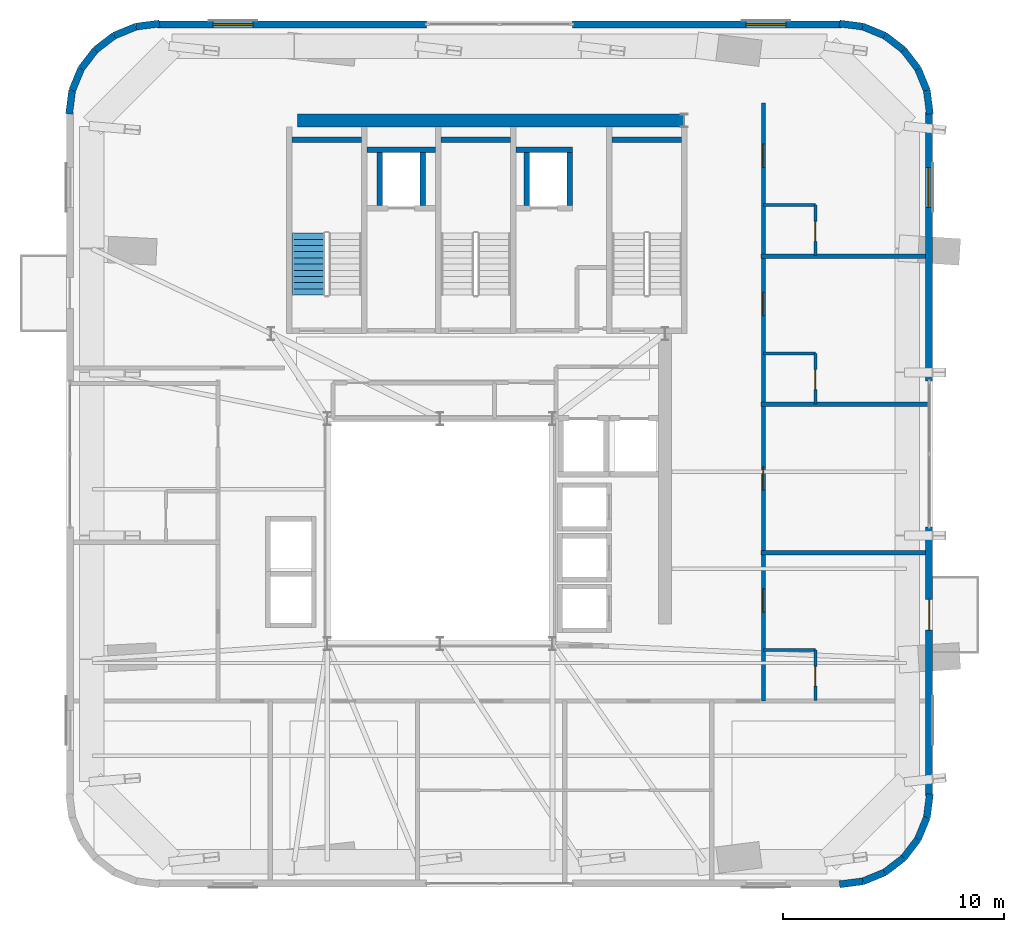
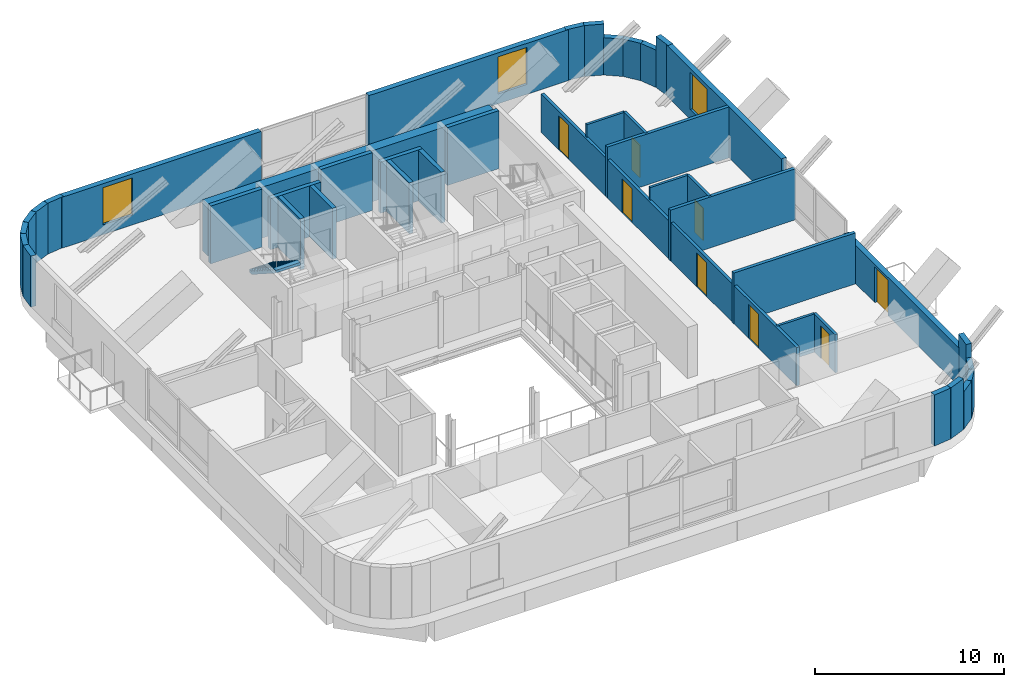
# One storey, part 8 of 12: 42 walls, 8 doors, 3 windows, 1 stair flight, 11 openings, 1 element without a shape of its own.
"""IFC4 building model written with IfcOpenShell, lengths in metres."""

from ifc_helpers import new_model, si_unit, direction, frame, frame_2d, origin, place, context, subcontext, project, spatial, polyline, rectangle, outline, extrude, source, transform, mapped, material, layer, layer_set, type_object, element, fill, aggregate, save


model = new_model("IFC4")

# Units and contexts
model_context = context("Model", 3, precision=1e-05, world=origin(), true_north=direction((0.0, 1.0)))
body_context = subcontext(model_context, "Body", "Model", "MODEL_VIEW")
ifc_project = project(units=[si_unit("LENGTHUNIT", "METRE"), si_unit("AREAUNIT", "SQUARE_METRE"), si_unit("VOLUMEUNIT", "CUBIC_METRE"), si_unit("PLANEANGLEUNIT", "RADIAN"), si_unit("MASSUNIT", "GRAM", prefix="KILO")], contexts=[model_context])

# Site, building, storey
site_placement = place(None, origin())
site = spatial("IfcSite", under=ifc_project, at=site_placement, CompositionType="ELEMENT")
building_placement = place(site_placement, origin())
building = spatial("IfcBuilding", under=site, at=building_placement, Name="Vardaveli Station Tower", CompositionType="ELEMENT")
storey_placement = place(building_placement, frame((0.0, 0.0, 282.199951171875)))
storey = spatial("IfcBuildingStorey", under=building, at=storey_placement, Name="L72", CompositionType="ELEMENT", Elevation=282.199951171875)

# Wall
ifc_material_1 = material(Name="Concrete C50/60", Category="concrete")
ifc_layer_1 = layer(ifc_material_1, 0.60009765625, Name="Concrete C50/60")
ifc_layer_set_1 = layer_set([ifc_layer_1], Name="Concrete C50/60")
wall_type_1 = type_object("IfcWallType", Name="WAL-CORE-600", PredefinedType="SHEAR", material=ifc_layer_set_1)
shared_shape_1 = source(origin(), body_context, "Body", "SweptSolid", [
    extrude(rectangle(XDim=17.52001953125, YDim=0.60009765625, at=frame_2d((8.760009765625, 0.0))), origin(), (0.0, 0.0, 1.0), 3.300048828125),
])
wall_1_placement = place(storey_placement, frame((29.85009765625, 40.300048828125, 0.0), z_axis=(0.0, 0.0, 1.0), x_axis=(1.0, 0.0, 0.0)))
element("IfcWall", 1, at=wall_1_placement, inside=storey, type_object=wall_type_1, Name="SW-L72-NORTH", PredefinedType="SHEAR", context=body_context, shape_type="MappedRepresentation", body=[
    mapped(shared_shape_1, transform((0.0, 0.0, 0.0), scale=1.0)),
])

# Wall, opening, window
ifc_material_2 = material(Name="Precast concrete C45/55", Category="concrete")
ifc_layer_2 = layer(ifc_material_2, 0.320068359375, Name="Precast concrete C45/55")
ifc_layer_set_2 = layer_set([ifc_layer_2], Name="Precast concrete C45/55")
wall_type_2 = type_object("IfcWallType", Name="WAL-EXT-STONE-320", PredefinedType="SOLIDWALL", material=ifc_layer_set_2)
shared_shape_2 = source(origin(), body_context, "Body", "SweptSolid", [
    extrude(rectangle(XDim=12.199951171875, YDim=0.320068359375, at=frame_2d((6.10009765625, 0.0))), origin(), (0.0, 0.0, 1.0), 3.300048828125),
])
wall_2_placement = place(storey_placement, frame((54.5, 44.659912109375, 0.0), z_axis=(0.0, 0.0, 1.0), x_axis=(-1.0, 0.0, 0.0)))
wall_2 = element("IfcWall", 2, at=wall_2_placement, inside=storey, type_object=wall_type_2, Name="EW-L72-N1", PredefinedType="SOLIDWALL", context=body_context, shape_type="MappedRepresentation", body=[
    mapped(shared_shape_2, transform((0.0, 0.0, 0.0), scale=1.0)),
])
shared_shape_3 = source(origin(), body_context, "Body", "SweptSolid", [
    extrude(rectangle(XDim=1.800048828125, YDim=2.39990234375, at=frame_2d((0.89990234375, 1.199951171875))), frame((0.0, 0.169921875, 0.0), z_axis=(0.0, -1.0, 0.0), x_axis=(1.0, 0.0, 0.0)), (0.0, 0.0, 1.0), 0.340087890625),
])
opening_1_placement = place(wall_2_placement, frame((2.52490234375, 0.0, 0.639892578125)))
opening_1 = element("IfcOpeningElement", 3, at=opening_1_placement, cuts=wall_2, Name="Opening W-05", PredefinedType="OPENING", context=body_context, shape_type="MappedRepresentation", body=[
    mapped(shared_shape_3, transform((0.0, 0.0, 0.0), scale=1.0)),
])
ifc_material_3 = material(Name="Low-E solar-control glass", Category="glass")
window_type = type_object("IfcWindowType", Name="WIN-HIGH-1800x2400", PartitioningType="SINGLE_PANEL", PredefinedType="WINDOW", material=ifc_material_3)
shared_shape_4 = source(origin(), body_context, "Body", "SweptSolid", [
    extrude(rectangle(XDim=1.800048828125, YDim=2.39990234375, at=frame_2d((0.89990234375, 1.199951171875))), frame((0.0, 0.030029296875, 0.0), z_axis=(0.0, -1.0, 0.0), x_axis=(1.0, 0.0, 0.0)), (0.0, 0.0, 1.0), 0.06005859375),
])
window_1_placement = place(opening_1_placement, origin())
window_1 = element("IfcWindow", 4, at=window_1_placement, inside=storey, type_object=window_type, Name="WN-L72-N1", OverallHeight=2.39990234375, OverallWidth=1.800048828125, PartitioningType="SINGLE_PANEL", PredefinedType="WINDOW", context=body_context, shape_type="MappedRepresentation", body=[
    mapped(shared_shape_4, transform((0.0, 0.0, 0.0), scale=1.0)),
])
fill(opening_1, window_1)

wall_3_placement = place(storey_placement, frame((35.699951171875, 44.659912109375, 0.0), z_axis=(0.0, 0.0, 1.0), x_axis=(-1.0, 0.0, 0.0)))
wall_3 = element("IfcWall", 5, at=wall_3_placement, inside=storey, type_object=wall_type_2, Name="EW-L72-N2", PredefinedType="SOLIDWALL", context=body_context, shape_type="MappedRepresentation", body=[
    mapped(shared_shape_2, transform((0.0, 0.0, 0.0), scale=1.0)),
])
opening_2_placement = place(wall_3_placement, frame((7.875, 0.0, 0.639892578125)))
opening_2 = element("IfcOpeningElement", 6, at=opening_2_placement, cuts=wall_3, Name="Opening W-05", PredefinedType="OPENING", context=body_context, shape_type="MappedRepresentation", body=[
    mapped(shared_shape_3, transform((0.0, 0.0, 0.0), scale=1.0)),
])
window_2_placement = place(opening_2_placement, origin())
window_2 = element("IfcWindow", 7, at=window_2_placement, inside=storey, type_object=window_type, Name="WN-L72-N2", OverallHeight=2.39990234375, OverallWidth=1.800048828125, PartitioningType="SINGLE_PANEL", PredefinedType="WINDOW", context=body_context, shape_type="MappedRepresentation", body=[
    mapped(shared_shape_4, transform((0.0, 0.0, 0.0), scale=1.0)),
])
fill(opening_2, window_2)

wall_4_placement = place(storey_placement, frame((58.4599609375, 28.5, 0.0), z_axis=(0.0, 0.0, 1.0), x_axis=(0.0, 1.0, 0.0)))
wall_4 = element("IfcWall", 8, at=wall_4_placement, inside=storey, type_object=wall_type_2, Name="EW-L72-E2", PredefinedType="SOLIDWALL", context=body_context, shape_type="MappedRepresentation", body=[
    mapped(shared_shape_2, transform((0.0, 0.0, 0.0), scale=1.0)),
])
opening_3_placement = place(wall_4_placement, frame((7.875, 0.0, 0.639892578125)))
opening_3 = element("IfcOpeningElement", 9, at=opening_3_placement, cuts=wall_4, Name="Opening W-05", PredefinedType="OPENING", context=body_context, shape_type="MappedRepresentation", body=[
    mapped(shared_shape_3, transform((0.0, 0.0, 0.0), scale=1.0)),
])
window_3_placement = place(opening_3_placement, origin())
window_3 = element("IfcWindow", 10, at=window_3_placement, inside=storey, type_object=window_type, Name="WN-L72-E2", OverallHeight=2.39990234375, OverallWidth=1.800048828125, PartitioningType="SINGLE_PANEL", PredefinedType="WINDOW", context=body_context, shape_type="MappedRepresentation", body=[
    mapped(shared_shape_4, transform((0.0, 0.0, 0.0), scale=1.0)),
])
fill(opening_3, window_3)

# Wall, opening, door
shared_shape_5 = source(origin(), body_context, "Body", "SweptSolid", [
    extrude(rectangle(XDim=12.199951171875, YDim=0.320068359375, at=frame_2d((6.10009765625, 0.0))), origin(), (0.0, 0.0, 1.0), 2.48095703125),
])
wall_5_placement = place(storey_placement, frame((58.4599609375, 9.699951171875, 0.0), z_axis=(0.0, 0.0, 1.0), x_axis=(0.0, 1.0, 0.0)))
wall_5 = element("IfcWall", 11, at=wall_5_placement, inside=storey, type_object=wall_type_2, Name="EW-L72-E1", PredefinedType="SOLIDWALL", context=body_context, shape_type="MappedRepresentation", body=[
    mapped(shared_shape_5, transform((0.0, 0.0, 0.0), scale=1.0)),
])
shared_shape_6 = source(origin(), body_context, "Body", "SweptSolid", [
    extrude(rectangle(XDim=1.39990234375, YDim=2.300048828125, at=frame_2d((0.699951171875, 1.14990234375))), frame((0.0, 0.169921875, 0.0), z_axis=(0.0, -1.0, 0.0), x_axis=(1.0, 0.0, 0.0)), (0.0, 0.0, 1.0), 0.340087890625),
])
opening_4_placement = place(wall_5_placement, frame((7.51611328125, 0.0, 0.0)))
opening_4 = element("IfcOpeningElement", 12, at=opening_4_placement, cuts=wall_5, Name="Opening D-09", PredefinedType="OPENING", context=body_context, shape_type="MappedRepresentation", body=[
    mapped(shared_shape_6, transform((0.0, 0.0, 0.0), scale=1.0)),
])
ifc_material_4 = material(Name="Thermally broken aluminium glass", Category="aluminium")
door_type_1 = type_object("IfcDoorType", Name="DR-LOG-1400x2300", OperationType="DOUBLE_DOOR_SLIDING", PredefinedType="DOOR", material=ifc_material_4)
shared_shape_7 = source(origin(), body_context, "Body", "SweptSolid", [
    extrude(rectangle(XDim=1.39990234375, YDim=2.300048828125, at=frame_2d((0.699951171875, 1.14990234375))), frame((0.0, 0.02490234375, 0.0), z_axis=(0.0, -1.0, 0.0), x_axis=(1.0, 0.0, 0.0)), (0.0, 0.0, 1.0), 0.050048828125),
])
door_1_placement = place(opening_4_placement, frame((1.39990234375, 0.0, 0.0), z_axis=(0.0, 0.0, 1.0), x_axis=(-1.0, 0.0, 0.0)))
door_1 = element("IfcDoor", 13, at=door_1_placement, inside=storey, type_object=door_type_1, Name="DLG-L72-E", OperationType="DOUBLE_DOOR_SLIDING", OverallHeight=2.300048828125, OverallWidth=1.39990234375, PredefinedType="DOOR", context=body_context, shape_type="MappedRepresentation", body=[
    mapped(shared_shape_7, transform((0.0, 0.0, 0.0), scale=1.0)),
])
fill(opening_4, door_1)

# Walls
shared_shape_8 = source(origin(), body_context, "Body", "SweptSolid", [
    extrude(rectangle(XDim=1.070556640625, YDim=0.320068359375, at=frame_2d((0.53515625, 0.0))), origin(), (0.0, 0.0, 1.0), 3.300048828125),
])
for number, where, z_axis, x_axis, name in (
    (14, (54.40087890625, 5.70556640625, 0.0), (0.0, 0.0, 1.0), (0.99181144545, 0.127710832249, 0.0), "EW-L72-CR2-1"),
    (15, (58.357666015625, 8.7373046875, 0.0), (0.0, 0.0, 1.0), (0.127710832249, 0.99181144545, 0.0), "EW-L72-CR2-6"),
    (16, (58.494384765625, 40.600830078125, 0.0), (0.0, 0.0, 1.0), (-0.127710832249, 0.99181144545, 0.0), "EW-L72-CR3-1"),
    (17, (55.462646484375, 44.5576171875, 0.0), (0.0, 0.0, 1.0), (-0.99181144545, 0.127710832249, 0.0), "EW-L72-CR3-6"),
    (18, (23.59912109375, 44.6943359375, 0.0), (0.0, 0.0, 1.0), (-0.99181144545, -0.127710832249, 0.0), "EW-L72-CR4-1"),
    (19, (19.642333984375, 41.66259765625, 0.0), (0.0, 0.0, 1.0), (-0.127710832249, -0.99181144545, 0.0), "EW-L72-CR4-6"),
):
    element("IfcWall", number, at=place(storey_placement, frame(where, z_axis=z_axis, x_axis=x_axis)), inside=storey, type_object=wall_type_2, Name=name, PredefinedType="SOLIDWALL", context=body_context, shape_type="MappedRepresentation", body=[
        mapped(shared_shape_8, transform((0.0, 0.0, 0.0), scale=1.0)),
    ])
shared_shape_9 = source(origin(), body_context, "Body", "SweptSolid", [
    extrude(rectangle(XDim=1.069580078125, YDim=0.320068359375, at=frame_2d((0.53466796875, 0.0))), origin(), (0.0, 0.0, 1.0), 3.300048828125),
])
for number, where, z_axis, x_axis, name in (
    (20, (55.462646484375, 5.84228515625, 0.0), (0.0, 0.0, 1.0), (0.92460245023, 0.380933470608, 0.0), "EW-L72-CR2-2"),
    (21, (56.45166015625, 44.150390625, 0.0), (0.0, 0.0, 1.0), (-0.92468282569, 0.380738324673, 0.0), "EW-L72-CR3-5"),
    (22, (22.537353515625, 44.5576171875, 0.0), (0.0, 0.0, 1.0), (-0.92468282569, -0.380738324673, 0.0), "EW-L72-CR4-2"),
    (23, (20.049560546875, 42.651611328125, 0.0), (0.0, 0.0, 1.0), (-0.380738324673, -0.92468282569, 0.0), "EW-L72-CR4-5"),
):
    element("IfcWall", number, at=place(storey_placement, frame(where, z_axis=z_axis, x_axis=x_axis)), inside=storey, type_object=wall_type_2, Name=name, PredefinedType="SOLIDWALL", context=body_context, shape_type="MappedRepresentation", body=[
        mapped(shared_shape_9, transform((0.0, 0.0, 0.0), scale=1.0)),
    ])
shared_shape_10 = source(origin(), body_context, "Body", "SweptSolid", [
    extrude(rectangle(XDim=1.069091796875, YDim=0.320068359375, at=frame_2d((0.53466796875, 0.0))), origin(), (0.0, 0.0, 1.0), 3.300048828125),
])
wall_6_placement = place(storey_placement, frame((20.699951171875, 43.500244140625, 0.0), z_axis=(0.0, 0.0, 1.0), x_axis=(-0.608297311401, -0.793709254666, 0.0)))
element("IfcWall", 24, at=wall_6_placement, inside=storey, type_object=wall_type_2, Name="EW-L72-CR4-4", PredefinedType="SOLIDWALL", context=body_context, shape_type="MappedRepresentation", body=[
    mapped(shared_shape_10, transform((0.0, 0.0, 0.0), scale=1.0)),
])
shared_shape_11 = source(origin(), body_context, "Body", "SweptSolid", [
    extrude(rectangle(XDim=1.06884765625, YDim=0.320068359375, at=frame_2d((0.534423828125, 0.0))), origin(), (0.0, 0.0, 1.0), 3.300048828125),
])
wall_7_placement = place(storey_placement, frame((21.54833984375, 44.150390625, 0.0), z_axis=(0.0, 0.0, 1.0), x_axis=(-0.793735015643, -0.60826369688, 0.0)))
element("IfcWall", 25, at=wall_7_placement, inside=storey, type_object=wall_type_2, Name="EW-L72-CR4-3", PredefinedType="SOLIDWALL", context=body_context, shape_type="MappedRepresentation", body=[
    mapped(shared_shape_11, transform((0.0, 0.0, 0.0), scale=1.0)),
])
shared_shape_12 = source(origin(), body_context, "Body", "SweptSolid", [
    extrude(rectangle(XDim=1.06884765625, YDim=0.320068359375, at=frame_2d((0.534423828125, 0.0))), origin(), (0.0, 0.0, 1.0), 2.420166015625),
])
for number, where, z_axis, x_axis, name in (
    (26, (56.45166015625, 6.249755859375, 0.0), (0.0, 0.0, 1.0), (0.793735015643, 0.60826369688, 0.0), "EW-L72-CR2-3"),
    (27, (57.300048828125, 43.500244140625, 0.0), (0.0, 0.0, 1.0), (-0.793735015643, 0.60826369688, 0.0), "EW-L72-CR3-4"),
):
    element("IfcWall", number, at=place(storey_placement, frame(where, z_axis=z_axis, x_axis=x_axis)), inside=storey, type_object=wall_type_2, Name=name, PredefinedType="SOLIDWALL", context=body_context, shape_type="MappedRepresentation", body=[
        mapped(shared_shape_12, transform((0.0, 0.0, 0.0), scale=1.0)),
    ])
shared_shape_13 = source(origin(), body_context, "Body", "SweptSolid", [
    extrude(rectangle(XDim=1.069091796875, YDim=0.320068359375, at=frame_2d((0.53466796875, 0.0))), origin(), (0.0, 0.0, 1.0), 2.420166015625),
])
for number, where, z_axis, x_axis, name in (
    (28, (57.300048828125, 6.89990234375, 0.0), (0.0, 0.0, 1.0), (0.608407570543, 0.793624740104, 0.0), "EW-L72-CR2-4"),
    (29, (57.950439453125, 42.651611328125, 0.0), (0.0, 0.0, 1.0), (-0.608297311401, 0.793709254666, 0.0), "EW-L72-CR3-3"),
):
    element("IfcWall", number, at=place(storey_placement, frame(where, z_axis=z_axis, x_axis=x_axis)), inside=storey, type_object=wall_type_2, Name=name, PredefinedType="SOLIDWALL", context=body_context, shape_type="MappedRepresentation", body=[
        mapped(shared_shape_13, transform((0.0, 0.0, 0.0), scale=1.0)),
    ])
shared_shape_14 = source(origin(), body_context, "Body", "SweptSolid", [
    extrude(rectangle(XDim=1.069580078125, YDim=0.320068359375, at=frame_2d((0.53466796875, 0.0))), origin(), (0.0, 0.0, 1.0), 2.420166015625),
])
for number, where, z_axis, x_axis, name in (
    (30, (57.950439453125, 7.748291015625, 0.0), (0.0, 0.0, 1.0), (0.380738324673, 0.92468282569, 0.0), "EW-L72-CR2-5"),
    (31, (58.357666015625, 41.66259765625, 0.0), (0.0, 0.0, 1.0), (-0.380738324673, 0.92468282569, 0.0), "EW-L72-CR3-2"),
):
    element("IfcWall", number, at=place(storey_placement, frame(where, z_axis=z_axis, x_axis=x_axis)), inside=storey, type_object=wall_type_2, Name=name, PredefinedType="SOLIDWALL", context=body_context, shape_type="MappedRepresentation", body=[
        mapped(shared_shape_14, transform((0.0, 0.0, 0.0), scale=1.0)),
    ])
ifc_material_5 = material(Name="Concrete C40/50", Category="concrete")
ifc_layer_3 = layer(ifc_material_5, 0.25, Name="Concrete C40/50")
ifc_layer_set_3 = layer_set([ifc_layer_3], Name="Concrete C40/50")
wall_type_3 = type_object("IfcWallType", Name="WAL-SHAFT-250", PredefinedType="SOLIDWALL", material=ifc_layer_set_3)
shared_shape_15 = source(origin(), body_context, "Body", "SweptSolid", [
    extrude(rectangle(XDim=3.14990234375, YDim=0.25, at=frame_2d((1.574951171875, 0.0))), origin(), (0.0, 0.0, 1.0), 3.75),
])
for number, where, z_axis, x_axis, name in (
    (32, (29.60009765625, 39.425048828125, 0.0), (0.0, 0.0, 1.0), (1.0, 0.0, 0.0), "W-L72-ST-1N"),
    (33, (36.35009765625, 39.425048828125, 0.0), (0.0, 0.0, 1.0), (1.0, 0.0, 0.0), "W-L72-ST-2N"),
    (34, (44.10009765625, 39.425048828125, 0.0), (0.0, 0.0, 1.0), (1.0, 0.0, 0.0), "W-L72-ST-3N"),
):
    element("IfcWall", number, at=place(storey_placement, frame(where, z_axis=z_axis, x_axis=x_axis)), inside=storey, type_object=wall_type_3, Name=name, PredefinedType="SOLIDWALL", context=body_context, shape_type="MappedRepresentation", body=[
        mapped(shared_shape_15, transform((0.0, 0.0, 0.0), scale=1.0)),
    ])
shared_shape_16 = source(origin(), body_context, "Body", "SweptSolid", [
    extrude(rectangle(XDim=3.10009765625, YDim=0.25, at=frame_2d((1.550048828125, 0.0))), origin(), (0.0, 0.0, 1.0), 3.300048828125),
])
wall_8_placement = place(storey_placement, frame((33.0, 38.97509765625, 0.0), z_axis=(0.0, 0.0, 1.0), x_axis=(1.0, 0.0, 0.0)))
element("IfcWall", 35, at=wall_8_placement, inside=storey, type_object=wall_type_3, Name="SHW-FFL-01-L72-N", PredefinedType="SOLIDWALL", context=body_context, shape_type="MappedRepresentation", body=[
    mapped(shared_shape_16, transform((0.0, 0.0, 0.0), scale=1.0)),
])
shared_shape_17 = source(origin(), body_context, "Body", "SweptSolid", [
    extrude(rectangle(XDim=2.400146484375, YDim=0.25, at=frame_2d((1.2001953125, 0.0))), origin(), (0.0, 0.0, 1.0), 3.300048828125),
])
for number, where, z_axis, x_axis, name in (
    (36, (33.574951171875, 36.449951171875, 0.0), (0.0, 0.0, 1.0), (0.0, 1.0, 0.0), "SHW-FFL-01-L72-W"),
    (37, (35.52490234375, 36.449951171875, 0.0), (0.0, 0.0, 1.0), (0.0, 1.0, 0.0), "SHW-FFL-01-L72-E"),
    (38, (40.22509765625, 36.449951171875, 0.0), (0.0, 0.0, 1.0), (0.0, 1.0, 0.0), "SHW-FFL-02-L72-W"),
    (39, (42.175048828125, 36.449951171875, 0.0), (0.0, 0.0, 1.0), (0.0, 1.0, 0.0), "SHW-FFL-02-L72-E"),
):
    element("IfcWall", number, at=place(storey_placement, frame(where, z_axis=z_axis, x_axis=x_axis)), inside=storey, type_object=wall_type_3, Name=name, PredefinedType="SOLIDWALL", context=body_context, shape_type="MappedRepresentation", body=[
        mapped(shared_shape_17, transform((0.0, 0.0, 0.0), scale=1.0)),
    ])
shared_shape_18 = source(origin(), body_context, "Body", "SweptSolid", [
    extrude(rectangle(XDim=2.550048828125, YDim=0.25, at=frame_2d((1.27490234375, 0.0))), origin(), (0.0, 0.0, 1.0), 3.300048828125),
])
wall_9_placement = place(storey_placement, frame((39.75, 38.97509765625, 0.0), z_axis=(0.0, 0.0, 1.0), x_axis=(1.0, 0.0, 0.0)))
element("IfcWall", 40, at=wall_9_placement, inside=storey, type_object=wall_type_3, Name="SHW-FFL-02-L72-N", PredefinedType="SOLIDWALL", context=body_context, shape_type="MappedRepresentation", body=[
    mapped(shared_shape_18, transform((0.0, 0.0, 0.0), scale=1.0)),
])

# Wall, opening, door
ifc_material_6 = material(Name="Moisture-resistant stud partition")
ifc_layer_4 = layer(ifc_material_6, 0.14990234375, Name="Moisture-resistant stud partition")
ifc_layer_set_4 = layer_set([ifc_layer_4], Name="Moisture-resistant stud partition")
wall_type_4 = type_object("IfcWallType", Name="WAL-WET-150", PredefinedType="PARTITIONING", material=ifc_layer_set_4)
shared_shape_19 = source(origin(), body_context, "Body", "SweptSolid", [
    extrude(rectangle(XDim=2.289794921875, YDim=0.14990234375, at=frame_2d((1.14501953125, 0.0))), origin(), (0.0, 0.0, 1.0), 3.300048828125),
])
wall_10_placement = place(storey_placement, frame((53.31005859375, 27.465087890625, 0.0), z_axis=(0.0, 0.0, 1.0), x_axis=(0.0, 1.0, 0.0)))
wall_10 = element("IfcWall", 41, at=wall_10_placement, inside=storey, type_object=wall_type_4, Name="W-L72-BE3-E", PredefinedType="PARTITIONING", context=body_context, shape_type="MappedRepresentation", body=[
    mapped(shared_shape_19, transform((0.0, 0.0, 0.0), scale=1.0)),
])
shared_shape_20 = source(origin(), body_context, "Body", "SweptSolid", [
    extrude(rectangle(XDim=0.89990234375, YDim=2.10009765625, at=frame_2d((0.449951171875, 1.050048828125))), frame((0.0, 0.0849609375, 0.0), z_axis=(0.0, -1.0, 0.0), x_axis=(1.0, 0.0, 0.0)), (0.0, 0.0, 1.0), 0.169921875),
])
opening_5_placement = place(wall_10_placement, frame((0.64990234375, 0.0, 0.0)))
opening_5 = element("IfcOpeningElement", 42, at=opening_5_placement, cuts=wall_10, Name="Opening D-08", PredefinedType="OPENING", context=body_context, shape_type="MappedRepresentation", body=[
    mapped(shared_shape_20, transform((0.0, 0.0, 0.0), scale=1.0)),
])
ifc_material_7 = material(Name="Moisture-resistant oak door")
door_type_2 = type_object("IfcDoorType", Name="DR-BATH-900x2100", OperationType="NOTDEFINED", PredefinedType="DOOR", material=ifc_material_7)
shared_shape_21 = source(origin(), body_context, "Body", "SweptSolid", [
    extrude(rectangle(XDim=0.89990234375, YDim=2.10009765625, at=frame_2d((0.449951171875, 1.050048828125))), frame((0.0, 0.02490234375, 0.0), z_axis=(0.0, -1.0, 0.0), x_axis=(1.0, 0.0, 0.0)), (0.0, 0.0, 1.0), 0.050048828125),
])
door_2_placement = place(opening_5_placement, origin())
door_2 = element("IfcDoor", 43, at=door_2_placement, inside=storey, type_object=door_type_2, Name="D-L72-BE3", OperationType="SINGLE_SWING_RIGHT", OverallHeight=2.10009765625, OverallWidth=0.89990234375, PredefinedType="DOOR", context=body_context, shape_type="MappedRepresentation", body=[
    mapped(shared_shape_21, transform((0.0, 0.0, 0.0), scale=1.0)),
])
fill(opening_5, door_2)

wall_11_placement = place(storey_placement, frame((53.31005859375, 34.18310546875, 0.0), z_axis=(0.0, 0.0, 1.0), x_axis=(0.0, 1.0, 0.0)))
wall_11 = element("IfcWall", 44, at=wall_11_placement, inside=storey, type_object=wall_type_4, Name="W-L72-BE4-E", PredefinedType="PARTITIONING", context=body_context, shape_type="MappedRepresentation", body=[
    mapped(shared_shape_19, transform((0.0, 0.0, 0.0), scale=1.0)),
])
opening_6_placement = place(wall_11_placement, frame((0.64990234375, 0.0, 0.0)))
opening_6 = element("IfcOpeningElement", 45, at=opening_6_placement, cuts=wall_11, Name="Opening D-08", PredefinedType="OPENING", context=body_context, shape_type="MappedRepresentation", body=[
    mapped(shared_shape_20, transform((0.0, 0.0, 0.0), scale=1.0)),
])
door_3_placement = place(opening_6_placement, origin())
door_3 = element("IfcDoor", 46, at=door_3_placement, inside=storey, type_object=door_type_2, Name="D-L72-BE4", OperationType="SINGLE_SWING_LEFT", OverallHeight=2.10009765625, OverallWidth=0.89990234375, PredefinedType="DOOR", context=body_context, shape_type="MappedRepresentation", body=[
    mapped(shared_shape_21, transform((0.0, 0.0, 0.0), scale=1.0)),
])
fill(opening_6, door_3)

# Walls
shared_shape_22 = source(origin(), body_context, "Body", "SweptSolid", [
    extrude(rectangle(XDim=2.360107421875, YDim=0.14990234375, at=frame_2d((1.18017578125, 0.0))), origin(), (0.0, 0.0, 1.0), 3.300048828125),
])
for number, where, z_axis, x_axis, name in (
    (47, (50.949951171875, 29.7548828125, 0.0), (0.0, 0.0, 1.0), (1.0, 0.0, 0.0), "W-L72-BE3-N"),
    (48, (50.949951171875, 36.472900390625, 0.0), (0.0, 0.0, 1.0), (1.0, 0.0, 0.0), "W-L72-BE4-N"),
):
    element("IfcWall", number, at=place(storey_placement, frame(where, z_axis=z_axis, x_axis=x_axis)), inside=storey, type_object=wall_type_4, Name=name, PredefinedType="PARTITIONING", context=body_context, shape_type="MappedRepresentation", body=[
        mapped(shared_shape_22, transform((0.0, 0.0, 0.0), scale=1.0)),
    ])

# Wall, openings, doors
ifc_material_8 = material(Name="Fire-rated gypsum stud partition")
ifc_layer_5 = layer(ifc_material_8, 0.179931640625, Name="Fire-rated gypsum stud partition")
ifc_layer_set_5 = layer_set([ifc_layer_5], Name="Fire-rated gypsum stud partition")
wall_type_5 = type_object("IfcWallType", Name="WAL-CORR-180", PredefinedType="PARTITIONING", material=ifc_layer_set_5)
shared_shape_23 = source(origin(), body_context, "Body", "SweptSolid", [
    extrude(rectangle(XDim=27.090087890625, YDim=0.179931640625, at=frame_2d((13.544921875, 0.0))), origin(), (0.0, 0.0, 1.0), 2.47802734375),
])
wall_12_placement = place(storey_placement, frame((50.949951171875, 14.010009765625, 0.0), z_axis=(0.0, 0.0, 1.0), x_axis=(0.0, 1.0, 0.0)))
wall_12 = element("IfcWall", 49, at=wall_12_placement, inside=storey, type_object=wall_type_5, Name="W-L72-CE", PredefinedType="PARTITIONING", context=body_context, shape_type="MappedRepresentation", body=[
    mapped(shared_shape_23, transform((0.0, 0.0, 0.0), scale=1.0)),
])
shared_shape_24 = source(origin(), body_context, "Body", "SweptSolid", [
    extrude(rectangle(XDim=1.050048828125, YDim=2.199951171875, at=frame_2d((0.52490234375, 1.10009765625))), frame((0.0, 0.10009765625, 0.0), z_axis=(0.0, -1.0, 0.0), x_axis=(1.0, 0.0, 0.0)), (0.0, 0.0, 1.0), 0.199951171875),
])
opening_7_placement = place(wall_12_placement, frame((4.023681640625, 0.0, 0.0)))
opening_7 = element("IfcOpeningElement", 50, at=opening_7_placement, cuts=wall_12, Name="Opening D-05", PredefinedType="OPENING", context=body_context, shape_type="MappedRepresentation", body=[
    mapped(shared_shape_24, transform((0.0, 0.0, 0.0), scale=1.0)),
])
opening_8_placement = place(wall_12_placement, frame((9.556396484375, 0.0, 0.0)))
opening_8 = element("IfcOpeningElement", 51, at=opening_8_placement, cuts=wall_12, Name="Opening D-05", PredefinedType="OPENING", context=body_context, shape_type="MappedRepresentation", body=[
    mapped(shared_shape_24, transform((0.0, 0.0, 0.0), scale=1.0)),
])
opening_9_placement = place(wall_12_placement, frame((17.458740234375, 0.0, 0.0)))
opening_9 = element("IfcOpeningElement", 52, at=opening_9_placement, cuts=wall_12, Name="Opening D-05", PredefinedType="OPENING", context=body_context, shape_type="MappedRepresentation", body=[
    mapped(shared_shape_24, transform((0.0, 0.0, 0.0), scale=1.0)),
])
opening_10_placement = place(wall_12_placement, frame((24.17626953125, 0.0, 0.0)))
opening_10 = element("IfcOpeningElement", 53, at=opening_10_placement, cuts=wall_12, Name="Opening D-05", PredefinedType="OPENING", context=body_context, shape_type="MappedRepresentation", body=[
    mapped(shared_shape_24, transform((0.0, 0.0, 0.0), scale=1.0)),
])
ifc_material_9 = material(Name="Walnut veneer acoustic fire door")
door_type_3 = type_object("IfcDoorType", Name="DR-SUITE-1050x2200", OperationType="NOTDEFINED", PredefinedType="DOOR", material=ifc_material_9)
shared_shape_25 = source(origin(), body_context, "Body", "SweptSolid", [
    extrude(rectangle(XDim=1.050048828125, YDim=2.199951171875, at=frame_2d((0.52490234375, 1.10009765625))), frame((0.0, 0.02490234375, 0.0), z_axis=(0.0, -1.0, 0.0), x_axis=(1.0, 0.0, 0.0)), (0.0, 0.0, 1.0), 0.050048828125),
])
door_4_placement = place(opening_7_placement, origin())
door_4 = element("IfcDoor", 54, at=door_4_placement, inside=storey, type_object=door_type_3, Name="D-L72-GE1", OperationType="SINGLE_SWING_LEFT", OverallHeight=2.199951171875, OverallWidth=1.050048828125, PredefinedType="DOOR", context=body_context, shape_type="MappedRepresentation", body=[
    mapped(shared_shape_25, transform((0.0, 0.0, 0.0), scale=1.0)),
])
fill(opening_7, door_4)
door_5_placement = place(opening_8_placement, origin())
door_5 = element("IfcDoor", 55, at=door_5_placement, inside=storey, type_object=door_type_3, Name="D-L72-GE2", OperationType="SINGLE_SWING_RIGHT", OverallHeight=2.199951171875, OverallWidth=1.050048828125, PredefinedType="DOOR", context=body_context, shape_type="MappedRepresentation", body=[
    mapped(shared_shape_25, transform((0.0, 0.0, 0.0), scale=1.0)),
])
fill(opening_8, door_5)
door_6_placement = place(opening_9_placement, origin())
door_6 = element("IfcDoor", 56, at=door_6_placement, inside=storey, type_object=door_type_3, Name="D-L72-GE3", OperationType="SINGLE_SWING_LEFT", OverallHeight=2.199951171875, OverallWidth=1.050048828125, PredefinedType="DOOR", context=body_context, shape_type="MappedRepresentation", body=[
    mapped(shared_shape_25, transform((0.0, 0.0, 0.0), scale=1.0)),
])
fill(opening_9, door_6)
door_7_placement = place(opening_10_placement, origin())
door_7 = element("IfcDoor", 57, at=door_7_placement, inside=storey, type_object=door_type_3, Name="D-L72-GE4", OperationType="SINGLE_SWING_RIGHT", OverallHeight=2.199951171875, OverallWidth=1.050048828125, PredefinedType="DOOR", context=body_context, shape_type="MappedRepresentation", body=[
    mapped(shared_shape_25, transform((0.0, 0.0, 0.0), scale=1.0)),
])
fill(opening_10, door_7)

# Wall, opening, door
shared_shape_26 = source(origin(), body_context, "Body", "SweptSolid", [
    extrude(rectangle(XDim=2.2900390625, YDim=0.14990234375, at=frame_2d((1.14501953125, 0.0))), origin(), (0.0, 0.0, 1.0), 2.47802734375),
])
wall_13_placement = place(storey_placement, frame((53.31005859375, 14.030029296875, 0.0), z_axis=(0.0, 0.0, 1.0), x_axis=(0.0, 1.0, 0.0)))
wall_13 = element("IfcWall", 58, at=wall_13_placement, inside=storey, type_object=wall_type_4, Name="W-L72-BE1-E", PredefinedType="PARTITIONING", context=body_context, shape_type="MappedRepresentation", body=[
    mapped(shared_shape_26, transform((0.0, 0.0, 0.0), scale=1.0)),
])
opening_11_placement = place(wall_13_placement, frame((0.64990234375, 0.0, 0.0)))
opening_11 = element("IfcOpeningElement", 59, at=opening_11_placement, cuts=wall_13, Name="Opening D-08", PredefinedType="OPENING", context=body_context, shape_type="MappedRepresentation", body=[
    mapped(shared_shape_20, transform((0.0, 0.0, 0.0), scale=1.0)),
])
door_8_placement = place(opening_11_placement, origin())
door_8 = element("IfcDoor", 60, at=door_8_placement, inside=storey, type_object=door_type_2, Name="D-L72-BE1", OperationType="SINGLE_SWING_LEFT", OverallHeight=2.10009765625, OverallWidth=0.89990234375, PredefinedType="DOOR", context=body_context, shape_type="MappedRepresentation", body=[
    mapped(shared_shape_21, transform((0.0, 0.0, 0.0), scale=1.0)),
])
fill(opening_11, door_8)

# Walls
ifc_material_10 = material(Name="Acoustic twin-stud gypsum partition")
ifc_layer_6 = layer(ifc_material_10, 0.199951171875, Name="Acoustic twin-stud gypsum partition")
ifc_layer_set_6 = layer_set([ifc_layer_6], Name="Acoustic twin-stud gypsum partition")
wall_type_6 = type_object("IfcWallType", Name="WAL-PARTY-200", PredefinedType="PARTITIONING", material=ifc_layer_set_6)
shared_shape_27 = source(origin(), body_context, "Body", "SweptSolid", [
    extrude(rectangle(XDim=7.447998046875, YDim=0.199951171875, at=frame_2d((3.72412109375, 0.0))), origin(), (0.0, 0.0, 1.0), 3.300048828125),
])
for number, where, z_axis, x_axis, name in (
    (61, (50.85009765625, 20.72705078125, 0.0), (0.0, 0.0, 1.0), (1.0, 0.0, 0.0), "W-L72-PE1"),
    (62, (50.85009765625, 34.1630859375, 0.0), (0.0, 0.0, 1.0), (1.0, 0.0, 0.0), "W-L72-PE3"),
):
    element("IfcWall", number, at=place(storey_placement, frame(where, z_axis=z_axis, x_axis=x_axis)), inside=storey, type_object=wall_type_6, Name=name, PredefinedType="PARTITIONING", context=body_context, shape_type="MappedRepresentation", body=[
        mapped(shared_shape_27, transform((0.0, 0.0, 0.0), scale=1.0)),
    ])
shared_shape_28 = source(origin(), body_context, "Body", "SweptSolid", [
    extrude(rectangle(XDim=7.639892578125, YDim=0.199951171875, at=frame_2d((3.81982421875, 0.0))), origin(), (0.0, 0.0, 1.0), 3.300048828125),
])
wall_14_placement = place(storey_placement, frame((50.85009765625, 27.445068359375, 0.0), z_axis=(0.0, 0.0, 1.0), x_axis=(1.0, 0.0, 0.0)))
element("IfcWall", 63, at=wall_14_placement, inside=storey, type_object=wall_type_6, Name="W-L72-PE2", PredefinedType="PARTITIONING", context=body_context, shape_type="MappedRepresentation", body=[
    mapped(shared_shape_28, transform((0.0, 0.0, 0.0), scale=1.0)),
])
shared_shape_29 = source(origin(), body_context, "Body", "SweptSolid", [
    extrude(rectangle(XDim=2.360107421875, YDim=0.14990234375, at=frame_2d((1.18017578125, 0.0))), origin(), (0.0, 0.0, 1.0), 2.47802734375),
])
wall_15_placement = place(storey_placement, frame((50.949951171875, 16.320068359375, 0.0), z_axis=(0.0, 0.0, 1.0), x_axis=(1.0, 0.0, 0.0)))
element("IfcWall", 64, at=wall_15_placement, inside=storey, type_object=wall_type_4, Name="W-L72-BE1-N", PredefinedType="PARTITIONING", context=body_context, shape_type="MappedRepresentation", body=[
    mapped(shared_shape_29, transform((0.0, 0.0, 0.0), scale=1.0)),
])

# Stair, stair flight
stair_type = type_object("IfcStairType", Name="STR-CORE-1500", PredefinedType="HALF_TURN_STAIR", material=ifc_material_5)
stair_placement = place(storey_placement, origin())
stair = element("IfcStair", 65, at=stair_placement, inside=storey, type_object=stair_type, Name="L72 ST-1", PredefinedType="HALF_TURN_STAIR")
stair_flight_type = type_object("IfcStairFlightType", Name="SFL-CORE-1500", PredefinedType="STRAIGHT", material=ifc_material_5)
shared_shape_30 = source(origin(), body_context, "Body", "SweptSolid", [
    extrude(outline(polyline([(0.0, 0.0), (0.0, 0.179443359375), (0.280029296875, 0.179443359375), (0.280029296875, 0.359130859375), (0.56005859375, 0.359130859375), (0.56005859375, 0.53857421875), (0.840087890625, 0.53857421875), (0.840087890625, 0.71826171875), (1.1201171875, 0.71826171875), (1.1201171875, 0.897705078125), (1.39990234375, 0.897705078125), (1.39990234375, 1.077392578125), (1.679931640625, 1.077392578125), (1.679931640625, 1.2568359375), (1.9599609375, 1.2568359375), (1.9599609375, 1.436279296875), (2.239990234375, 1.436279296875), (2.239990234375, 1.615966796875), (2.52001953125, 1.615966796875), (2.52001953125, 1.79541015625), (2.800048828125, 1.79541015625), (2.800048828125, 1.97509765625), (2.800048828125, 1.617431640625), (0.277587890625, 0.0), (0.0, 0.0)])), frame((0.0, 0.75, 0.0), z_axis=(0.0, -1.0, 0.0), x_axis=(1.0, 0.0, 0.0)), (0.0, 0.0, 1.0), 1.5),
])
stair_flight_placement = place(storey_placement, frame((30.35009765625, 35.199951171875, 1.97509765625), z_axis=(0.0, 0.0, 1.0), x_axis=(0.0, -1.0, 0.0)))
stair_flight = element("IfcStairFlight", 66, at=stair_flight_placement, type_object=stair_flight_type, Name="ST-1 flight 2", NumberOfRisers=11, NumberOfTreads=10, PredefinedType="STRAIGHT", RiserHeight=0.179545455, TreadLength=0.28, context=body_context, shape_type="MappedRepresentation", body=[
    mapped(shared_shape_30, transform((0.0, 0.0, 0.0), scale=1.0)),
])
aggregate(stair, [stair_flight])

save(model, "model.ifc")
